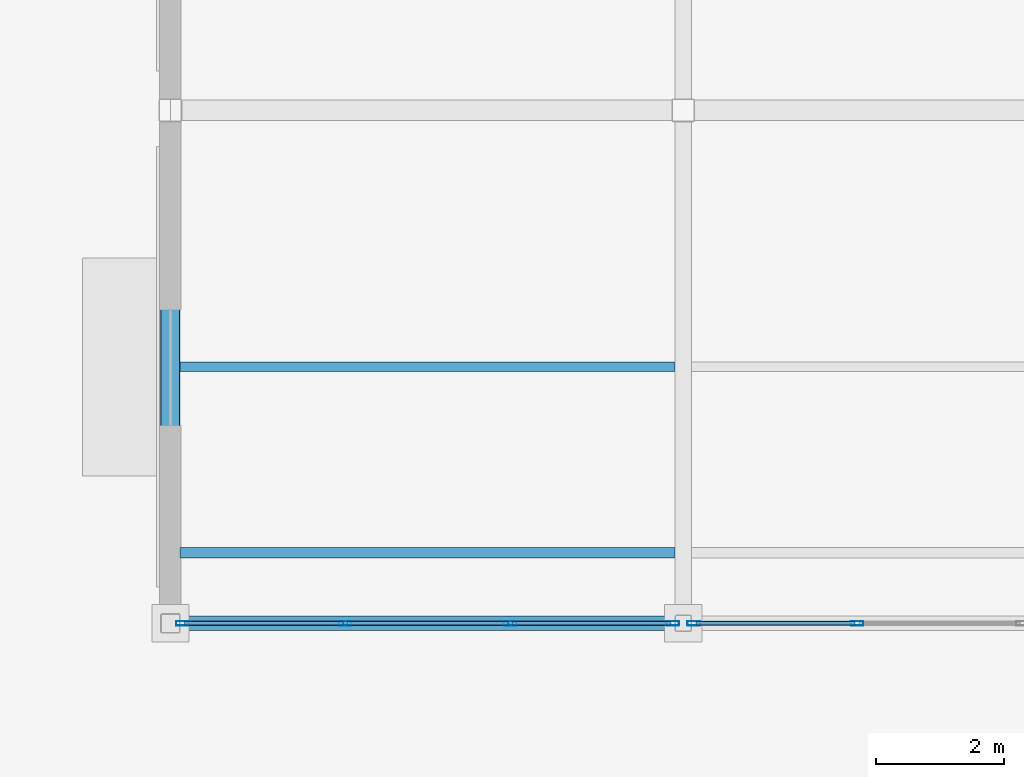
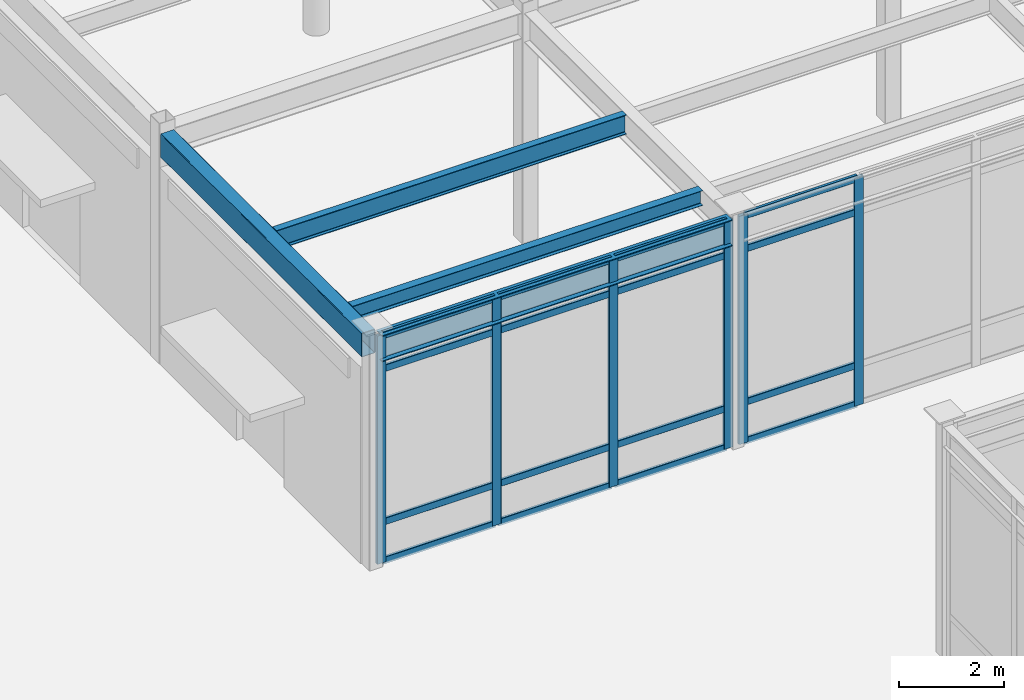
# One storey, part 60 of 128: 22 members, 4 beams, 2 elements without a shape of their own.
"""IFC4 building model written with IfcOpenShell, lengths in metres."""

import ifcopenshell
import ifcopenshell.guid

model = None  # the IFC model being written
_history = None  # IfcOwnerHistory: only IFC2X3 demands one
_inside = {}  # id of a spatial element -> (the spatial element, [elements in it])
_under = {}  # id of a project, library or spatial element -> (it, [spatial elements below it])
_declared = {}  # id of a project -> (the project, [libraries it declares])
_typed = {}  # id of a type object -> (the type object, [elements of that type])
_made_of = {}  # id of a material, layer set ... -> (it, [elements and type objects made of it])


def new_model(schema):
    """Start an empty IFC model of exactly this schema.

    Asked for "IFC4X3", IfcOpenShell would pick the latest addendum, in which some entities
    have other attributes; the version numbers below select the first issue.
    IFC2X3 requires an IfcOwnerHistory on every rooted entity: one is made here for all.
    """
    global model, _history
    if schema == "IFC4X3":
        model = ifcopenshell.file(schema_version=(4, 3, 0, 0))
    else:
        model = ifcopenshell.file(schema=schema)
    _inside.clear()
    _under.clear()
    _declared.clear()
    _typed.clear()
    _made_of.clear()
    _history = None
    if model.schema == "IFC2X3":
        org = make("IfcOrganization", Name="unknown")
        user = make(
            "IfcPersonAndOrganization",
            ThePerson=make("IfcPerson", FamilyName="unknown"),
            TheOrganization=org,
        )
        app = make(
            "IfcApplication",
            ApplicationDeveloper=org,
            Version="unknown",
            ApplicationFullName="unknown",
            ApplicationIdentifier="unknown",
        )
        _history = make(
            "IfcOwnerHistory",
            OwningUser=user,
            OwningApplication=app,
            ChangeAction="ADDED",
            CreationDate=0,
        )
    return model


def make(cls, **values):
    """One entity of the class cls with the attributes given. An attribute that is None is left unset."""
    return model.create_entity(
        cls, **{name: value for name, value in values.items() if value is not None}
    )


def rooted(cls, **values):
    """An entity with a GlobalId (a new one), such as an element, a storey or a relation."""
    return make(cls, GlobalId=ifcopenshell.guid.new(), OwnerHistory=_history, **values)


def si_unit(unit_type, name, prefix=None):
    """IfcSIUnit, for example si_unit("LENGTHUNIT", "METRE", prefix="MILLI")."""
    return make("IfcSIUnit", UnitType=unit_type, Prefix=prefix, Name=name)


def assignment(units):
    """IfcUnitAssignment: the units of a project."""
    return None if units is None else make("IfcUnitAssignment", Units=units)


def point(xyz):
    """IfcCartesianPoint."""
    return None if xyz is None else make("IfcCartesianPoint", Coordinates=xyz)


def direction(xyz):
    """IfcDirection."""
    return None if xyz is None else make("IfcDirection", DirectionRatios=xyz)


def frame(location, z_axis=None, x_axis=None):
    """IfcAxis2Placement3D, a coordinate frame: its origin and axes. An axis left out is left unset."""
    return make(
        "IfcAxis2Placement3D",
        Location=point(location),
        Axis=direction(z_axis),
        RefDirection=direction(x_axis),
    )


def frame_2d(location, x_axis=None):
    """IfcAxis2Placement2D, a coordinate frame in the plane: its origin and x axis."""
    return make(
        "IfcAxis2Placement2D", Location=point(location), RefDirection=direction(x_axis)
    )


def origin():
    """The frame at (0, 0, 0) with its axes left unset."""
    return frame((0.0, 0.0, 0.0))


def origin_2d():
    """The frame at (0, 0) in the plane with its x axis left unset."""
    return frame_2d((0.0, 0.0))


def place(relative_to, where):
    """IfcLocalPlacement: puts the frame where relative to a parent placement (None: the world)."""
    return make(
        "IfcLocalPlacement", PlacementRelTo=relative_to, RelativePlacement=where
    )


def context(
    kind, dimensions, precision=None, world=None, true_north=None, identifier=None
):
    """IfcGeometricRepresentationContext, for example the 3D "Model" context."""
    return make(
        "IfcGeometricRepresentationContext",
        ContextIdentifier=identifier,
        ContextType=kind,
        CoordinateSpaceDimension=dimensions,
        Precision=precision,
        WorldCoordinateSystem=world,
        TrueNorth=true_north,
    )


def subcontext(parent, identifier, kind, view, scale=None):
    """IfcGeometricRepresentationSubContext, for example "Body" below "Model"."""
    return make(
        "IfcGeometricRepresentationSubContext",
        ContextIdentifier=identifier,
        ContextType=kind,
        ParentContext=parent,
        TargetScale=scale,
        TargetView=view,
    )


def project(units=None, contexts=None):
    """IfcProject with its units and contexts."""
    return rooted(
        "IfcProject",
        Name="project",
        RepresentationContexts=contexts,
        UnitsInContext=assignment(units),
    )


def spatial(cls, under=None, at=None, **own):
    """A site, building, storey or space (cls), placed at a placement, below another one or the project."""
    s = rooted(cls, ObjectPlacement=at, **own)
    if under is not None:
        _under.setdefault(under.id(), (under, []))[1].append(s)
    return s


def profile(cls, at=None, kind="AREA", **sizes):
    """A parametric profile (cls). Its sizes go by their IFC names, for example OverallWidth=200.0."""
    return make(cls, ProfileType=kind, Position=at, **sizes)


def hollow_rectangle(**sizes):
    """IfcRectangleHollowProfileDef."""
    return profile("IfcRectangleHollowProfileDef", **sizes)


def i_section(**sizes):
    """IfcIShapeProfileDef."""
    return profile("IfcIShapeProfileDef", **sizes)


def extrude(swept, where, along, depth):
    """IfcExtrudedAreaSolid: the profile swept, set in the frame where, extruded along a direction by depth."""
    return make(
        "IfcExtrudedAreaSolid",
        SweptArea=swept,
        Position=where,
        ExtrudedDirection=direction(along),
        Depth=depth,
    )


def shape(context_of_items, identifier, shape_type, items):
    """IfcShapeRepresentation: the items that make up one representation, for example the "Body"."""
    return make(
        "IfcShapeRepresentation",
        ContextOfItems=context_of_items,
        RepresentationIdentifier=identifier,
        RepresentationType=shape_type,
        Items=items,
    )


def material(Name=None, Category=None):
    """IfcMaterial."""
    return make("IfcMaterial", Name=Name, Category=Category)


def material_profile(
    of_material, cross_section, Name=None, Category=None, Priority=None
):
    """IfcMaterialProfile: a cross section and its material."""
    return make(
        "IfcMaterialProfile",
        Name=Name,
        Material=of_material,
        Profile=cross_section,
        Priority=Priority,
        Category=Category,
    )


def profile_set(profiles, Name=None, composite=None):
    """IfcMaterialProfileSet."""
    return make(
        "IfcMaterialProfileSet",
        Name=Name,
        MaterialProfiles=profiles,
        CompositeProfile=composite,
    )


def made_of(thing, what):
    """Note that an element or type object is made of a material, layer set ...; save() writes the relation."""
    if what is not None:
        _made_of.setdefault(what.id(), (what, []))[1].append(thing)
    return thing


def type_object(cls, material=None, **own):
    """A type object (cls), such as IfcWallType, which elements share."""
    return made_of(rooted(cls, **own), material)


def element(
    cls,
    number,
    at=None,
    inside=None,
    cuts=None,
    type_object=None,
    material=None,
    context=None,
    identifier="Body",
    shape_type=None,
    held_by="IfcProductDefinitionShape",
    body=None,
    shapes=None,
    **own,
):
    """One element of the class cls, such as IfcWall. Its Tag is "e" and its number.

    at: its placement. inside: the storey or other place that contains it. cuts: it is an
    opening in that element (IfcRelVoidsElement). A single representation is given by context,
    identifier, shape_type and body (its items); several are given by shapes. held_by: the class
    of the entity that holds the representations. save() writes the other relations.
    """
    e = rooted(cls, Tag="e%d" % number, ObjectPlacement=at, **own)
    if body is not None:
        shapes = [shape(context, identifier, shape_type, body)]
    if shapes is not None:
        e.Representation = make(held_by, Representations=shapes)
    if inside is not None:
        _inside.setdefault(inside.id(), (inside, []))[1].append(e)
    if cuts is not None:
        rooted(
            "IfcRelVoidsElement", RelatingBuildingElement=cuts, RelatedOpeningElement=e
        )
    if type_object is not None:
        _typed.setdefault(type_object.id(), (type_object, []))[1].append(e)
    return made_of(e, material)


def aggregate(whole, parts):
    """IfcRelAggregates: a whole, such as a stair, and the parts it consists of."""
    return rooted("IfcRelAggregates", RelatingObject=whole, RelatedObjects=parts)


def save(model, path):
    """Write the relations noted so far, then the file.

    IfcRelAggregates (storeys below a building ...), IfcRelContainedInSpatialStructure (elements
    in a storey), IfcRelDefinesByType, IfcRelAssociatesMaterial and IfcRelDeclares: one each for
    every whole, place, type object, material and project.
    """
    for whole, parts in _under.values():
        aggregate(whole, parts)
    for where, things in _inside.values():
        rooted(
            "IfcRelContainedInSpatialStructure",
            RelatedElements=things,
            RelatingStructure=where,
        )
    for kind, things in _typed.values():
        rooted("IfcRelDefinesByType", RelatedObjects=things, RelatingType=kind)
    for what, things in _made_of.values():
        rooted("IfcRelAssociatesMaterial", RelatedObjects=things, RelatingMaterial=what)
    for by, libraries in _declared.values():
        rooted("IfcRelDeclares", RelatingContext=by, RelatedDefinitions=libraries)
    model.write(path)


model = new_model("IFC4")

# Units and contexts
model_context = context("Model", 3, precision=1e-05, world=origin(), true_north=direction((0.0, 1.0)))
body_context = subcontext(model_context, "Body", "Model", "MODEL_VIEW")
ifc_project = project(units=[si_unit("LENGTHUNIT", "METRE"), si_unit("AREAUNIT", "SQUARE_METRE"), si_unit("VOLUMEUNIT", "CUBIC_METRE"), si_unit("PLANEANGLEUNIT", "RADIAN"), si_unit("MASSUNIT", "GRAM", prefix="KILO")], contexts=[model_context])

# Site, building, storey
site_placement = place(None, origin())
site = spatial("IfcSite", under=ifc_project, at=site_placement, CompositionType="ELEMENT")
building_placement = place(site_placement, origin())
building = spatial("IfcBuilding", under=site, at=building_placement, Name="Solmirada Galleria", CompositionType="ELEMENT")
storey_placement = place(building_placement, origin())
storey = spatial("IfcBuildingStorey", under=building, at=storey_placement, Name="L00", CompositionType="ELEMENT", Elevation=0.0)

# Beams
ifc_material_1 = material(Name="Steel S355 / ASTM A992 Grade 50", Category="steel")
ifc_material_profile_1 = material_profile(ifc_material_1, i_section(OverallWidth=0.22900390625, OverallDepth=0.612060546875, WebThickness=0.011962890625, FlangeThickness=0.01953125, FilletRadius=0.014892578125, at=origin_2d()), Name="W24X84")
ifc_profile_set_1 = profile_set([ifc_material_profile_1], Name="Steel S355 / ASTM A992 Grade 50")
beam_type_1 = type_object("IfcBeamType", Name="BM-GIRD-W24B", PredefinedType="BEAM", material=ifc_profile_set_1)
beam_1_placement = place(storey_placement, frame((40.152587890625, 72.0, 5.053955078125), z_axis=(1.0, 0.0, 0.0), x_axis=(0.0, 1.0, 0.0)))
element("IfcBeam", 1, at=beam_1_placement, inside=storey, type_object=beam_type_1, Name="Primary beam L01 X(40..48, 72)", PredefinedType="BEAM", context=body_context, shape_type="SweptSolid", body=[
    extrude(i_section(OverallWidth=0.22900390625, OverallDepth=0.612060546875, WebThickness=0.011962890625, FlangeThickness=0.01953125, FilletRadius=0.014892578125, at=origin_2d()), origin(), (0.0, 0.0, 1.0), 7.720458984375),
])
ifc_material_profile_2 = material_profile(ifc_material_1, i_section(OverallWidth=0.1708984375, OverallDepth=0.35205078125, WebThickness=0.0068359375, FlangeThickness=0.009765625, FilletRadius=0.010986328125, at=origin_2d()), Name="W14X30")
ifc_profile_set_2 = profile_set([ifc_material_profile_2], Name="Steel S355 / ASTM A992 Grade 50")
beam_type_2 = type_object("IfcBeamType", Name="BM-JST-W14B", PredefinedType="JOIST", material=ifc_profile_set_2)
beam_2_placement = place(storey_placement, frame((40.152587890625, 73.10009765625, 5.18408203125), z_axis=(1.0, 0.0, 0.0), x_axis=(0.0, 1.0, 0.0)))
element("IfcBeam", 2, at=beam_2_placement, inside=storey, type_object=beam_type_2, Name="Terrace deck joist L01-TERR-NW X=40..48 (1)", PredefinedType="JOIST", context=body_context, shape_type="SweptSolid", body=[
    extrude(i_section(OverallWidth=0.1708984375, OverallDepth=0.35205078125, WebThickness=0.0068359375, FlangeThickness=0.009765625, FilletRadius=0.010986328125, at=origin_2d()), origin(), (0.0, 0.0, 1.0), 7.719482421875),
])
ifc_material_profile_3 = material_profile(ifc_material_1, i_section(OverallWidth=0.153076171875, OverallDepth=0.455078125, WebThickness=0.008056640625, FlangeThickness=0.01318359375, FilletRadius=0.011962890625, at=origin_2d()), Name="W18X40")
ifc_profile_set_3 = profile_set([ifc_material_profile_3], Name="Steel S355 / ASTM A992 Grade 50")
beam_type_3 = type_object("IfcBeamType", Name="BM-JST-W18A", PredefinedType="JOIST", material=ifc_profile_set_3)
beam_3_placement = place(storey_placement, frame((40.152587890625, 76.0, 5.132568359375), z_axis=(1.0, 0.0, 0.0), x_axis=(0.0, 1.0, 0.0)))
element("IfcBeam", 3, at=beam_3_placement, inside=storey, type_object=beam_type_3, Name="Composite floor joist L01 (40..48, 76.0)", PredefinedType="JOIST", context=body_context, shape_type="SweptSolid", body=[
    extrude(i_section(OverallWidth=0.153076171875, OverallDepth=0.455078125, WebThickness=0.008056640625, FlangeThickness=0.01318359375, FilletRadius=0.011962890625, at=origin_2d()), origin(), (0.0, 0.0, 1.0), 7.719482421875),
])
ifc_material_2 = material(Name="Steel S355 / ASTM A500 Grade C", Category="steel")
ifc_material_profile_4 = material_profile(ifc_material_2, hollow_rectangle(XDim=0.304931640625, YDim=0.55908203125, WallThickness=0.01171875, InnerFilletRadius=0.01171875, OuterFilletRadius=0.023681640625, at=origin_2d()), Name="HSS22X12X1/2")
ifc_profile_set_4 = profile_set([ifc_material_profile_4], Name="Steel S355 / ASTM A500 Grade C")
beam_type_4 = type_object("IfcBeamType", Name="BM-SPAND-W21", PredefinedType="SPANDREL", material=ifc_profile_set_4)
beam_4_placement = place(storey_placement, frame((40.0, 72.152587890625, 5.08056640625), z_axis=(0.0, 1.0, 0.0), x_axis=(-1.0, 0.0, 0.0)))
element("IfcBeam", 4, at=beam_4_placement, inside=storey, type_object=beam_type_4, Name="Primary girder L01 Y(40, 72..80)", PredefinedType="SPANDREL", context=body_context, shape_type="SweptSolid", body=[
    extrude(hollow_rectangle(XDim=0.304931640625, YDim=0.55908203125, WallThickness=0.01171875, InnerFilletRadius=0.01171875, OuterFilletRadius=0.023681640625, at=origin_2d()), origin(), (0.0, 0.0, 1.0), 7.66943359375),
])

# Curtain wall, members
ifc_material_3 = material(Name="Impact-resistant low-E double glazing", Category="glass")
curtain_wall_type = type_object("IfcCurtainWallType", Name="CW-FZ4-L00-B3-L077", PredefinedType="NOTDEFINED", material=ifc_material_3)
curtain_wall_1_placement = place(storey_placement, origin())
curtain_wall_1 = element("IfcCurtainWall", 5, at=curtain_wall_1_placement, inside=storey, type_object=curtain_wall_type, Name="Terrace and arcade storefront CW-L00-007", PredefinedType="NOTDEFINED")
ifc_material_4 = material(Name="Anodised aluminium framing", Category="aluminium")
ifc_material_profile_5 = material_profile(ifc_material_4, hollow_rectangle(XDim=0.070068359375, YDim=0.199951171875, WallThickness=0.004150390625, InnerFilletRadius=0.004150390625, OuterFilletRadius=0.00830078125, at=origin_2d()), Name="ALU-MULL-200X70")
ifc_profile_set_5 = profile_set([ifc_material_profile_5], Name="Anodised aluminium framing")
member_type_1 = type_object("IfcMemberType", Name="CW-MULL-200", PredefinedType="MULLION", material=ifc_profile_set_5)
member_1_placement = place(storey_placement, frame((50.709716796875, 72.0, 0.0), z_axis=(0.0, 0.0, 1.0), x_axis=(0.0, -1.0, 0.0)))
member_1 = element("IfcMember", 6, at=member_1_placement, type_object=member_type_1, Name="CW03 mullion 3", PredefinedType="MULLION", context=body_context, shape_type="SweptSolid", body=[
    extrude(hollow_rectangle(XDim=0.070068359375, YDim=0.199951171875, WallThickness=0.004150390625, InnerFilletRadius=0.004150390625, OuterFilletRadius=0.00830078125, at=origin_2d()), origin(), (0.0, 0.0, 1.0), 5.320068359375),
])
member_2_placement = place(storey_placement, frame((48.1640625, 72.0, 0.0), z_axis=(0.0, 0.0, 1.0), x_axis=(0.0, -1.0, 0.0)))
member_2 = element("IfcMember", 7, at=member_2_placement, type_object=member_type_1, Name="CW03 mullion 4", PredefinedType="MULLION", context=body_context, shape_type="SweptSolid", body=[
    extrude(hollow_rectangle(XDim=0.070068359375, YDim=0.199951171875, WallThickness=0.004150390625, InnerFilletRadius=0.004150390625, OuterFilletRadius=0.00830078125, at=origin_2d()), origin(), (0.0, 0.0, 1.0), 5.320068359375),
])

curtain_wall_2_placement = place(storey_placement, origin())
curtain_wall_2 = element("IfcCurtainWall", 8, at=curtain_wall_2_placement, inside=storey, type_object=curtain_wall_type, Name="Terrace and arcade storefront CW-L00-008", PredefinedType="NOTDEFINED")
member_3_placement = place(storey_placement, frame((47.8359375, 72.0, 0.0), z_axis=(0.0, 0.0, 1.0), x_axis=(0.0, -1.0, 0.0)))
member_3 = element("IfcMember", 9, at=member_3_placement, type_object=member_type_1, Name="CW03 mullion 1", PredefinedType="MULLION", context=body_context, shape_type="SweptSolid", body=[
    extrude(hollow_rectangle(XDim=0.070068359375, YDim=0.199951171875, WallThickness=0.004150390625, InnerFilletRadius=0.004150390625, OuterFilletRadius=0.00830078125, at=origin_2d()), origin(), (0.0, 0.0, 1.0), 5.320068359375),
])
member_4_placement = place(storey_placement, frame((45.298828125, 72.0, 0.0), z_axis=(0.0, 0.0, 1.0), x_axis=(0.0, -1.0, 0.0)))
member_4 = element("IfcMember", 10, at=member_4_placement, type_object=member_type_1, Name="CW03 mullion 2", PredefinedType="MULLION", context=body_context, shape_type="SweptSolid", body=[
    extrude(hollow_rectangle(XDim=0.070068359375, YDim=0.199951171875, WallThickness=0.004150390625, InnerFilletRadius=0.004150390625, OuterFilletRadius=0.00830078125, at=origin_2d()), origin(), (0.0, 0.0, 1.0), 5.320068359375),
])
member_5_placement = place(storey_placement, frame((42.7265625, 72.0, 0.0), z_axis=(0.0, 0.0, 1.0), x_axis=(0.0, -1.0, 0.0)))
member_5 = element("IfcMember", 11, at=member_5_placement, type_object=member_type_1, Name="CW03 mullion 3", PredefinedType="MULLION", context=body_context, shape_type="SweptSolid", body=[
    extrude(hollow_rectangle(XDim=0.070068359375, YDim=0.199951171875, WallThickness=0.004150390625, InnerFilletRadius=0.004150390625, OuterFilletRadius=0.00830078125, at=origin_2d()), origin(), (0.0, 0.0, 1.0), 5.320068359375),
])
member_6_placement = place(storey_placement, frame((40.189453125, 72.0, 0.0), z_axis=(0.0, 0.0, 1.0), x_axis=(0.0, -1.0, 0.0)))
member_6 = element("IfcMember", 12, at=member_6_placement, type_object=member_type_1, Name="CW03 mullion 4", PredefinedType="MULLION", context=body_context, shape_type="SweptSolid", body=[
    extrude(hollow_rectangle(XDim=0.070068359375, YDim=0.199951171875, WallThickness=0.004150390625, InnerFilletRadius=0.004150390625, OuterFilletRadius=0.00830078125, at=origin_2d()), origin(), (0.0, 0.0, 1.0), 5.320068359375),
])

# Member
ifc_material_profile_6 = material_profile(ifc_material_4, hollow_rectangle(XDim=0.06494140625, YDim=0.159912109375, WallThickness=0.00390625, InnerFilletRadius=0.00390625, OuterFilletRadius=0.007568359375, at=origin_2d()), Name="ALU-TRAN-160X65")
ifc_profile_set_6 = profile_set([ifc_material_profile_6], Name="Anodised aluminium framing")
member_type_2 = type_object("IfcMemberType", Name="CW-TRAN-160", PredefinedType="USERDEFINED", material=ifc_profile_set_6)
member_7_placement = place(storey_placement, frame((50.674560546875, 72.0, 0.032470703125), z_axis=(-1.0, 0.0, 0.0), x_axis=(0.0, -1.0, 0.0)))
member_7 = element("IfcMember", 13, at=member_7_placement, type_object=member_type_2, Name="CW03 transom 3.1", ObjectType="TRANSOM", PredefinedType="USERDEFINED", context=body_context, shape_type="SweptSolid", body=[
    extrude(hollow_rectangle(XDim=0.06494140625, YDim=0.159912109375, WallThickness=0.00390625, InnerFilletRadius=0.00390625, OuterFilletRadius=0.007568359375, at=origin_2d()), origin(), (0.0, 0.0, 1.0), 2.4755859375),
])

member_8_placement = place(storey_placement, frame((50.674560546875, 72.0, 0.93994140625), z_axis=(-1.0, 0.0, 0.0), x_axis=(0.0, -1.0, 0.0)))
member_8 = element("IfcMember", 14, at=member_8_placement, type_object=member_type_2, Name="CW03 transom 3.2", ObjectType="TRANSOM", PredefinedType="USERDEFINED", context=body_context, shape_type="SweptSolid", body=[
    extrude(hollow_rectangle(XDim=0.06494140625, YDim=0.159912109375, WallThickness=0.00390625, InnerFilletRadius=0.00390625, OuterFilletRadius=0.007568359375, at=origin_2d()), origin(), (0.0, 0.0, 1.0), 2.4755859375),
])

member_9_placement = place(storey_placement, frame((50.674560546875, 72.0, 4.510009765625), z_axis=(-1.0, 0.0, 0.0), x_axis=(0.0, -1.0, 0.0)))
member_9 = element("IfcMember", 15, at=member_9_placement, type_object=member_type_2, Name="CW03 transom 3.3", ObjectType="TRANSOM", PredefinedType="USERDEFINED", context=body_context, shape_type="SweptSolid", body=[
    extrude(hollow_rectangle(XDim=0.06494140625, YDim=0.159912109375, WallThickness=0.00390625, InnerFilletRadius=0.00390625, OuterFilletRadius=0.007568359375, at=origin_2d()), origin(), (0.0, 0.0, 1.0), 2.4755859375),
])

member_10_placement = place(storey_placement, frame((50.674560546875, 72.0, 5.28759765625), z_axis=(-1.0, 0.0, 0.0), x_axis=(0.0, -1.0, 0.0)))
member_10 = element("IfcMember", 16, at=member_10_placement, type_object=member_type_2, Name="CW03 transom 3.4", ObjectType="TRANSOM", PredefinedType="USERDEFINED", context=body_context, shape_type="SweptSolid", body=[
    extrude(hollow_rectangle(XDim=0.06494140625, YDim=0.159912109375, WallThickness=0.00390625, InnerFilletRadius=0.00390625, OuterFilletRadius=0.007568359375, at=origin_2d()), origin(), (0.0, 0.0, 1.0), 2.4755859375),
])

aggregate(curtain_wall_1, [member_1, member_2, member_7, member_8, member_9, member_10])

member_11_placement = place(storey_placement, frame((47.801025390625, 72.0, 0.032470703125), z_axis=(-1.0, 0.0, 0.0), x_axis=(0.0, -1.0, 0.0)))
member_11 = element("IfcMember", 17, at=member_11_placement, type_object=member_type_2, Name="CW03 transom 1.1", ObjectType="TRANSOM", PredefinedType="USERDEFINED", context=body_context, shape_type="SweptSolid", body=[
    extrude(hollow_rectangle(XDim=0.06494140625, YDim=0.159912109375, WallThickness=0.00390625, InnerFilletRadius=0.00390625, OuterFilletRadius=0.007568359375, at=origin_2d()), origin(), (0.0, 0.0, 1.0), 2.46728515625),
])

member_12_placement = place(storey_placement, frame((47.801025390625, 72.0, 0.93994140625), z_axis=(-1.0, 0.0, 0.0), x_axis=(0.0, -1.0, 0.0)))
member_12 = element("IfcMember", 18, at=member_12_placement, type_object=member_type_2, Name="CW03 transom 1.2", ObjectType="TRANSOM", PredefinedType="USERDEFINED", context=body_context, shape_type="SweptSolid", body=[
    extrude(hollow_rectangle(XDim=0.06494140625, YDim=0.159912109375, WallThickness=0.00390625, InnerFilletRadius=0.00390625, OuterFilletRadius=0.007568359375, at=origin_2d()), origin(), (0.0, 0.0, 1.0), 2.46728515625),
])

member_13_placement = place(storey_placement, frame((47.801025390625, 72.0, 4.510009765625), z_axis=(-1.0, 0.0, 0.0), x_axis=(0.0, -1.0, 0.0)))
member_13 = element("IfcMember", 19, at=member_13_placement, type_object=member_type_2, Name="CW03 transom 1.3", ObjectType="TRANSOM", PredefinedType="USERDEFINED", context=body_context, shape_type="SweptSolid", body=[
    extrude(hollow_rectangle(XDim=0.06494140625, YDim=0.159912109375, WallThickness=0.00390625, InnerFilletRadius=0.00390625, OuterFilletRadius=0.007568359375, at=origin_2d()), origin(), (0.0, 0.0, 1.0), 2.46728515625),
])

member_14_placement = place(storey_placement, frame((47.801025390625, 72.0, 5.28759765625), z_axis=(-1.0, 0.0, 0.0), x_axis=(0.0, -1.0, 0.0)))
member_14 = element("IfcMember", 20, at=member_14_placement, type_object=member_type_2, Name="CW03 transom 1.4", ObjectType="TRANSOM", PredefinedType="USERDEFINED", context=body_context, shape_type="SweptSolid", body=[
    extrude(hollow_rectangle(XDim=0.06494140625, YDim=0.159912109375, WallThickness=0.00390625, InnerFilletRadius=0.00390625, OuterFilletRadius=0.007568359375, at=origin_2d()), origin(), (0.0, 0.0, 1.0), 2.46728515625),
])

member_15_placement = place(storey_placement, frame((45.263916015625, 72.0, 0.032470703125), z_axis=(-1.0, 0.0, 0.0), x_axis=(0.0, -1.0, 0.0)))
member_15 = element("IfcMember", 21, at=member_15_placement, type_object=member_type_2, Name="CW03 transom 2.1", ObjectType="TRANSOM", PredefinedType="USERDEFINED", context=body_context, shape_type="SweptSolid", body=[
    extrude(hollow_rectangle(XDim=0.06494140625, YDim=0.159912109375, WallThickness=0.00390625, InnerFilletRadius=0.00390625, OuterFilletRadius=0.007568359375, at=origin_2d()), origin(), (0.0, 0.0, 1.0), 2.502197265625),
])

member_16_placement = place(storey_placement, frame((45.263916015625, 72.0, 0.93994140625), z_axis=(-1.0, 0.0, 0.0), x_axis=(0.0, -1.0, 0.0)))
member_16 = element("IfcMember", 22, at=member_16_placement, type_object=member_type_2, Name="CW03 transom 2.2", ObjectType="TRANSOM", PredefinedType="USERDEFINED", context=body_context, shape_type="SweptSolid", body=[
    extrude(hollow_rectangle(XDim=0.06494140625, YDim=0.159912109375, WallThickness=0.00390625, InnerFilletRadius=0.00390625, OuterFilletRadius=0.007568359375, at=origin_2d()), origin(), (0.0, 0.0, 1.0), 2.502197265625),
])

member_17_placement = place(storey_placement, frame((45.263916015625, 72.0, 4.510009765625), z_axis=(-1.0, 0.0, 0.0), x_axis=(0.0, -1.0, 0.0)))
member_17 = element("IfcMember", 23, at=member_17_placement, type_object=member_type_2, Name="CW03 transom 2.3", ObjectType="TRANSOM", PredefinedType="USERDEFINED", context=body_context, shape_type="SweptSolid", body=[
    extrude(hollow_rectangle(XDim=0.06494140625, YDim=0.159912109375, WallThickness=0.00390625, InnerFilletRadius=0.00390625, OuterFilletRadius=0.007568359375, at=origin_2d()), origin(), (0.0, 0.0, 1.0), 2.502197265625),
])

member_18_placement = place(storey_placement, frame((45.263916015625, 72.0, 5.28759765625), z_axis=(-1.0, 0.0, 0.0), x_axis=(0.0, -1.0, 0.0)))
member_18 = element("IfcMember", 24, at=member_18_placement, type_object=member_type_2, Name="CW03 transom 2.4", ObjectType="TRANSOM", PredefinedType="USERDEFINED", context=body_context, shape_type="SweptSolid", body=[
    extrude(hollow_rectangle(XDim=0.06494140625, YDim=0.159912109375, WallThickness=0.00390625, InnerFilletRadius=0.00390625, OuterFilletRadius=0.007568359375, at=origin_2d()), origin(), (0.0, 0.0, 1.0), 2.502197265625),
])

member_19_placement = place(storey_placement, frame((42.691650390625, 72.0, 0.032470703125), z_axis=(-1.0, 0.0, 0.0), x_axis=(0.0, -1.0, 0.0)))
member_19 = element("IfcMember", 25, at=member_19_placement, type_object=member_type_2, Name="CW03 transom 3.1", ObjectType="TRANSOM", PredefinedType="USERDEFINED", context=body_context, shape_type="SweptSolid", body=[
    extrude(hollow_rectangle(XDim=0.06494140625, YDim=0.159912109375, WallThickness=0.00390625, InnerFilletRadius=0.00390625, OuterFilletRadius=0.007568359375, at=origin_2d()), origin(), (0.0, 0.0, 1.0), 2.467041015625),
])

member_20_placement = place(storey_placement, frame((42.691650390625, 72.0, 0.93994140625), z_axis=(-1.0, 0.0, 0.0), x_axis=(0.0, -1.0, 0.0)))
member_20 = element("IfcMember", 26, at=member_20_placement, type_object=member_type_2, Name="CW03 transom 3.2", ObjectType="TRANSOM", PredefinedType="USERDEFINED", context=body_context, shape_type="SweptSolid", body=[
    extrude(hollow_rectangle(XDim=0.06494140625, YDim=0.159912109375, WallThickness=0.00390625, InnerFilletRadius=0.00390625, OuterFilletRadius=0.007568359375, at=origin_2d()), origin(), (0.0, 0.0, 1.0), 2.467041015625),
])

member_21_placement = place(storey_placement, frame((42.691650390625, 72.0, 4.510009765625), z_axis=(-1.0, 0.0, 0.0), x_axis=(0.0, -1.0, 0.0)))
member_21 = element("IfcMember", 27, at=member_21_placement, type_object=member_type_2, Name="CW03 transom 3.3", ObjectType="TRANSOM", PredefinedType="USERDEFINED", context=body_context, shape_type="SweptSolid", body=[
    extrude(hollow_rectangle(XDim=0.06494140625, YDim=0.159912109375, WallThickness=0.00390625, InnerFilletRadius=0.00390625, OuterFilletRadius=0.007568359375, at=origin_2d()), origin(), (0.0, 0.0, 1.0), 2.467041015625),
])

member_22_placement = place(storey_placement, frame((42.691650390625, 72.0, 5.28759765625), z_axis=(-1.0, 0.0, 0.0), x_axis=(0.0, -1.0, 0.0)))
member_22 = element("IfcMember", 28, at=member_22_placement, type_object=member_type_2, Name="CW03 transom 3.4", ObjectType="TRANSOM", PredefinedType="USERDEFINED", context=body_context, shape_type="SweptSolid", body=[
    extrude(hollow_rectangle(XDim=0.06494140625, YDim=0.159912109375, WallThickness=0.00390625, InnerFilletRadius=0.00390625, OuterFilletRadius=0.007568359375, at=origin_2d()), origin(), (0.0, 0.0, 1.0), 2.467041015625),
])

aggregate(curtain_wall_2, [member_3, member_4, member_5, member_6, member_11, member_12, member_13, member_14, member_15, member_16, member_17, member_18, member_19, member_20, member_21, member_22])

save(model, "model.ifc")
